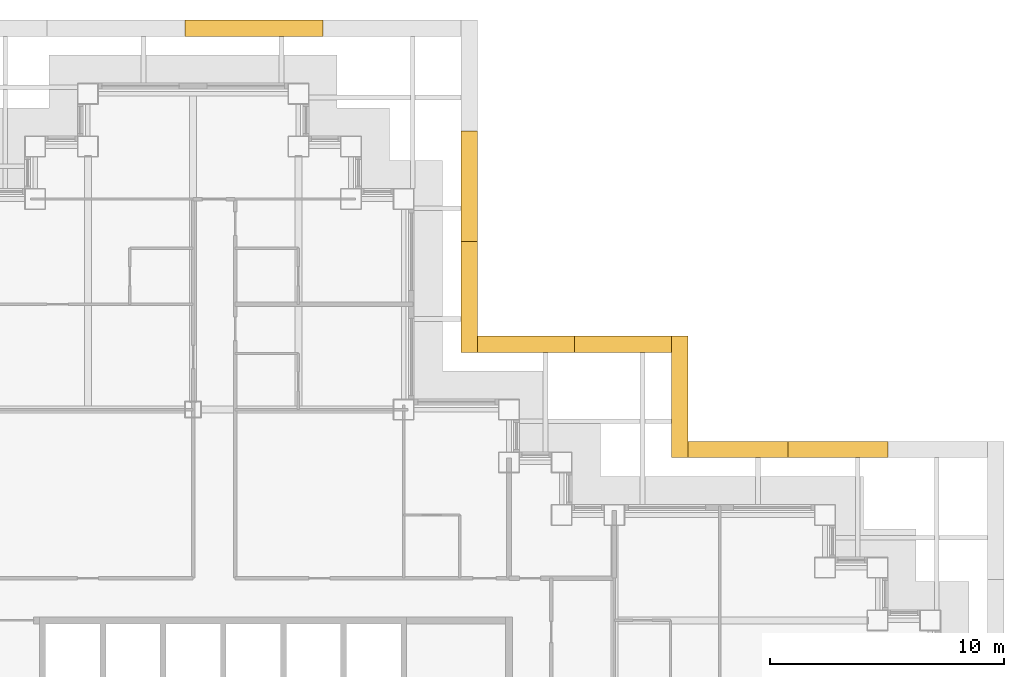
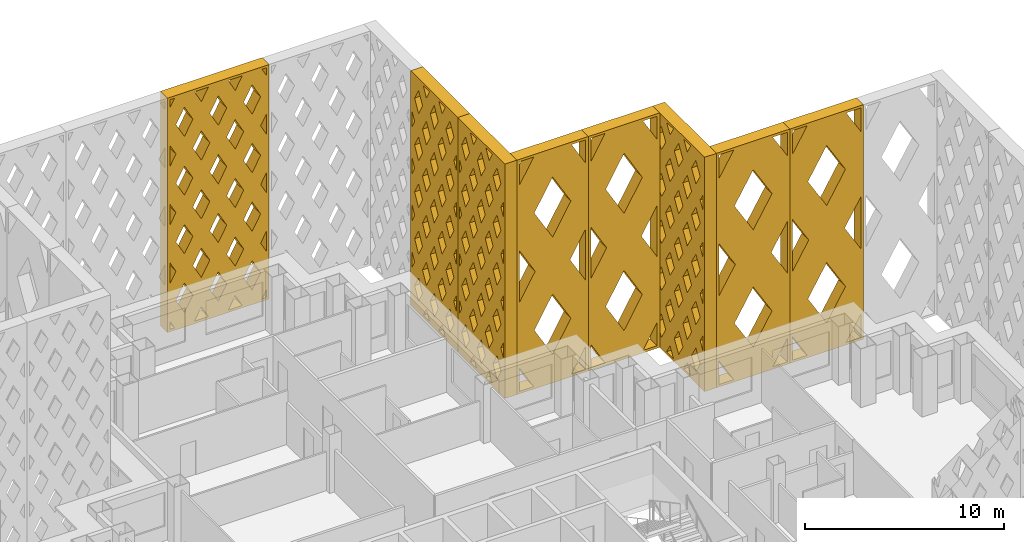
# One storey, part 19 of 21: 8 shading devices.
"""IFC4 building model written with IfcOpenShell, lengths in metres."""

from ifc_helpers import new_model, si_unit, direction, frame, origin, place, context, subcontext, project, spatial, polyline, outline, extrude, material, type_object, element, save


model = new_model("IFC4")

# Units and contexts
model_context = context("Model", 3, precision=1e-05, world=origin(), true_north=direction((0.0, 1.0)))
body_context = subcontext(model_context, "Body", "Model", "MODEL_VIEW")
ifc_project = project(units=[si_unit("LENGTHUNIT", "METRE"), si_unit("AREAUNIT", "SQUARE_METRE"), si_unit("VOLUMEUNIT", "CUBIC_METRE"), si_unit("PLANEANGLEUNIT", "RADIAN"), si_unit("MASSUNIT", "GRAM", prefix="KILO")], contexts=[model_context])

# Site, building, storey
site_placement = place(None, origin())
site = spatial("IfcSite", under=ifc_project, at=site_placement, CompositionType="ELEMENT")
building_placement = place(site_placement, origin())
building = spatial("IfcBuilding", under=site, at=building_placement, Name="Caravel Reach Hotel and Residences", CompositionType="ELEMENT")
storey_placement = place(building_placement, frame((0.0, 0.0, 115.199951171875)))
storey = spatial("IfcBuildingStorey", under=building, at=storey_placement, Name="L28", CompositionType="ELEMENT", Elevation=115.199951171875)

# Shading devices
ifc_material_1 = material(Name="Black powder-coated aluminium", Category="aluminium")
shading_device_type_1 = type_object("IfcShadingDeviceType", Name="Diamond lattice screen panel 4150 x 14400", PredefinedType="USERDEFINED", material=ifc_material_1)
for number, where, z_axis, x_axis, name in (
    (1, (51.949951171875, 42.949951171875, 0.0), (0.0, 1.0, 0.0), (-1.0, 0.0, 0.0), "Lattice screen L28-L31 10.1"),
    (2, (47.800048828125, 42.949951171875, 0.0), (0.0, 1.0, 0.0), (-1.0, 0.0, 0.0), "Lattice screen L28-L31 10.2"),
):
    element("IfcShadingDevice", number, at=place(storey_placement, frame(where, z_axis=z_axis, x_axis=x_axis)), inside=storey, type_object=shading_device_type_1, Name=name, ObjectType="SCREEN", PredefinedType="USERDEFINED", context=body_context, shape_type="SweptSolid", body=[
        extrude(outline(polyline([(0.0, 0.0), (4.14990234375, 0.0), (4.14990234375, 14.39990234375), (0.0, 14.39990234375), (0.0, 0.0)]), holes=[polyline([(0.97802734375, 0.14990234375), (0.14990234375, 1.586669921875), (0.14990234375, 0.14990234375), (0.97802734375, 0.14990234375)]), polyline([(1.064697265625, 7.199951171875), (0.14990234375, 8.786865234375), (0.14990234375, 5.61328125), (1.064697265625, 7.199951171875)]), polyline([(0.14990234375, 12.813232421875), (0.97802734375, 14.25), (0.14990234375, 14.25), (0.14990234375, 12.813232421875)]), polyline([(2.074951171875, 5.447021484375), (1.010498046875, 3.60009765625), (2.074951171875, 1.7529296875), (3.1396484375, 3.60009765625), (2.074951171875, 5.447021484375)]), polyline([(2.074951171875, 12.64697265625), (1.010498046875, 10.800048828125), (2.074951171875, 8.953125), (3.1396484375, 10.800048828125), (2.074951171875, 12.64697265625)]), polyline([(4.0, 1.586669921875), (3.171875, 0.14990234375), (4.0, 0.14990234375), (4.0, 1.586669921875)]), polyline([(3.08544921875, 7.199951171875), (4.0, 5.61328125), (4.0, 8.786865234375), (3.08544921875, 7.199951171875)]), polyline([(3.171875, 14.25), (4.0, 12.813232421875), (4.0, 14.25), (3.171875, 14.25)])]), origin(), (0.0, 0.0, 1.0), 0.699951171875),
    ])
ifc_material_2 = material(Name="Black powder-coated aluminium", Category="aluminium")
shading_device_type_2 = type_object("IfcShadingDeviceType", Name="Diamond lattice screen panel 4267 x 14400", PredefinedType="USERDEFINED", material=ifc_material_2)
for number, where, z_axis, x_axis, name in (
    (3, (61.183349609375, 38.449951171875, 0.0), (0.0, 1.0, 0.0), (-1.0, 0.0, 0.0), "Lattice screen L28-L31 8.2"),
    (4, (56.916748046875, 38.449951171875, 0.0), (0.0, 1.0, 0.0), (-1.0, 0.0, 0.0), "Lattice screen L28-L31 8.3"),
):
    element("IfcShadingDevice", number, at=place(storey_placement, frame(where, z_axis=z_axis, x_axis=x_axis)), inside=storey, type_object=shading_device_type_2, Name=name, ObjectType="SCREEN", PredefinedType="USERDEFINED", context=body_context, shape_type="SweptSolid", body=[
        extrude(outline(polyline([(0.0, 0.0), (4.2666015625, 0.0), (4.2666015625, 14.39990234375), (0.0, 14.39990234375), (0.0, 0.0)]), holes=[polyline([(1.003662109375, 0.14990234375), (0.14990234375, 1.590576171875), (0.14990234375, 0.14990234375), (1.003662109375, 0.14990234375)]), polyline([(1.092529296875, 7.199951171875), (0.14990234375, 8.790771484375), (0.14990234375, 5.609375), (1.092529296875, 7.199951171875)]), polyline([(0.14990234375, 12.809326171875), (1.003662109375, 14.25), (0.14990234375, 14.25), (0.14990234375, 12.809326171875)]), polyline([(2.13330078125, 5.44384765625), (1.040771484375, 3.60009765625), (2.13330078125, 1.756103515625), (3.225830078125, 3.60009765625), (2.13330078125, 5.44384765625)]), polyline([(2.13330078125, 12.643798828125), (1.040771484375, 10.800048828125), (2.13330078125, 8.956298828125), (3.225830078125, 10.800048828125), (2.13330078125, 12.643798828125)]), polyline([(4.11669921875, 1.590576171875), (3.262939453125, 0.14990234375), (4.11669921875, 0.14990234375), (4.11669921875, 1.590576171875)]), polyline([(3.174072265625, 7.199951171875), (4.11669921875, 5.609375), (4.11669921875, 8.790771484375), (3.174072265625, 7.199951171875)]), polyline([(3.262939453125, 14.25), (4.11669921875, 12.809326171875), (4.11669921875, 14.25), (3.262939453125, 14.25)])]), origin(), (0.0, 0.0, 1.0), 0.699951171875),
    ])
ifc_material_3 = material(Name="Black powder-coated aluminium", Category="aluminium")
shading_device_type_3 = type_object("IfcShadingDeviceType", Name="Diamond lattice screen panel 4733 x 14400", PredefinedType="USERDEFINED", material=ifc_material_3)
shading_device_1_placement = place(storey_placement, frame((42.949951171875, 42.949951171875, 0.0), z_axis=(1.0, 0.0, 0.0), x_axis=(0.0, 1.0, 0.0)))
element("IfcShadingDevice", 5, at=shading_device_1_placement, inside=storey, type_object=shading_device_type_3, Name="Lattice screen L28-L31 11.1", ObjectType="SCREEN", PredefinedType="USERDEFINED", context=body_context, shape_type="SweptSolid", body=[
    extrude(outline(polyline([(0.0, 0.0), (4.7333984375, 0.0), (4.7333984375, 14.39990234375), (0.0, 14.39990234375), (0.0, 0.0)]), holes=[polyline([(0.39892578125, 2.8798828125), (0.14990234375, 3.334228515625), (0.14990234375, 2.42578125), (0.39892578125, 2.8798828125)]), polyline([(0.39892578125, 5.760009765625), (0.14990234375, 6.21435546875), (0.14990234375, 5.3056640625), (0.39892578125, 5.760009765625)]), polyline([(0.39892578125, 8.639892578125), (0.14990234375, 9.09423828125), (0.14990234375, 8.185791015625), (0.39892578125, 8.639892578125)]), polyline([(0.39892578125, 11.52001953125), (0.14990234375, 11.974365234375), (0.14990234375, 11.065673828125), (0.39892578125, 11.52001953125)]), polyline([(0.788818359375, 2.16796875), (0.39013671875, 1.43994140625), (0.788818359375, 0.7119140625), (1.187744140625, 1.43994140625), (0.788818359375, 2.16796875)]), polyline([(0.788818359375, 5.048095703125), (0.39013671875, 4.320068359375), (0.788818359375, 3.592041015625), (1.187744140625, 4.320068359375), (0.788818359375, 5.048095703125)]), polyline([(0.788818359375, 7.927978515625), (0.39013671875, 7.199951171875), (0.788818359375, 6.471923828125), (1.187744140625, 7.199951171875), (0.788818359375, 7.927978515625)]), polyline([(0.788818359375, 10.80810546875), (0.39013671875, 10.080078125), (0.788818359375, 9.35205078125), (1.187744140625, 10.080078125), (0.788818359375, 10.80810546875)]), polyline([(0.788818359375, 13.68798828125), (0.39013671875, 12.9599609375), (0.788818359375, 12.23193359375), (1.187744140625, 12.9599609375), (0.788818359375, 13.68798828125)]), polyline([(1.577880859375, 0.72802734375), (1.260986328125, 0.14990234375), (1.89453125, 0.14990234375), (1.577880859375, 0.72802734375)]), polyline([(1.577880859375, 3.608154296875), (1.178955078125, 2.8798828125), (1.577880859375, 2.15185546875), (1.9765625, 2.8798828125), (1.577880859375, 3.608154296875)]), polyline([(1.577880859375, 6.488037109375), (1.178955078125, 5.760009765625), (1.577880859375, 5.031982421875), (1.9765625, 5.760009765625), (1.577880859375, 6.488037109375)]), polyline([(1.577880859375, 9.3681640625), (1.178955078125, 8.639892578125), (1.577880859375, 7.911865234375), (1.9765625, 8.639892578125), (1.577880859375, 9.3681640625)]), polyline([(1.577880859375, 12.248046875), (1.178955078125, 11.52001953125), (1.577880859375, 10.7919921875), (1.9765625, 11.52001953125), (1.577880859375, 12.248046875)]), polyline([(1.577880859375, 13.671875), (1.89453125, 14.25), (1.260986328125, 14.25), (1.577880859375, 13.671875)]), polyline([(2.36669921875, 2.16796875), (1.9677734375, 1.43994140625), (2.36669921875, 0.7119140625), (2.765625, 1.43994140625), (2.36669921875, 2.16796875)]), polyline([(2.36669921875, 5.048095703125), (1.9677734375, 4.320068359375), (2.36669921875, 3.592041015625), (2.765625, 4.320068359375), (2.36669921875, 5.048095703125)]), polyline([(2.36669921875, 7.927978515625), (1.9677734375, 7.199951171875), (2.36669921875, 6.471923828125), (2.765625, 7.199951171875), (2.36669921875, 7.927978515625)]), polyline([(2.36669921875, 10.80810546875), (1.9677734375, 10.080078125), (2.36669921875, 9.35205078125), (2.765625, 10.080078125), (2.36669921875, 10.80810546875)]), polyline([(2.36669921875, 13.68798828125), (1.9677734375, 12.9599609375), (2.36669921875, 12.23193359375), (2.765625, 12.9599609375), (2.36669921875, 13.68798828125)]), polyline([(3.155517578125, 0.72802734375), (2.8388671875, 0.14990234375), (3.47216796875, 0.14990234375), (3.155517578125, 0.72802734375)]), polyline([(3.155517578125, 3.608154296875), (2.756591796875, 2.8798828125), (3.155517578125, 2.15185546875), (3.554443359375, 2.8798828125), (3.155517578125, 3.608154296875)]), polyline([(3.155517578125, 6.488037109375), (2.756591796875, 5.760009765625), (3.155517578125, 5.031982421875), (3.554443359375, 5.760009765625), (3.155517578125, 6.488037109375)]), polyline([(3.155517578125, 9.3681640625), (2.756591796875, 8.639892578125), (3.155517578125, 7.911865234375), (3.554443359375, 8.639892578125), (3.155517578125, 9.3681640625)]), polyline([(3.155517578125, 12.248046875), (2.756591796875, 11.52001953125), (3.155517578125, 10.7919921875), (3.554443359375, 11.52001953125), (3.155517578125, 12.248046875)]), polyline([(3.155517578125, 13.671875), (3.47216796875, 14.25), (2.8388671875, 14.25), (3.155517578125, 13.671875)]), polyline([(3.9443359375, 2.16796875), (3.545654296875, 1.43994140625), (3.9443359375, 0.7119140625), (4.34326171875, 1.43994140625), (3.9443359375, 2.16796875)]), polyline([(3.9443359375, 5.048095703125), (3.545654296875, 4.320068359375), (3.9443359375, 3.592041015625), (4.34326171875, 4.320068359375), (3.9443359375, 5.048095703125)]), polyline([(3.9443359375, 7.927978515625), (3.545654296875, 7.199951171875), (3.9443359375, 6.471923828125), (4.34326171875, 7.199951171875), (3.9443359375, 7.927978515625)]), polyline([(3.9443359375, 10.80810546875), (3.545654296875, 10.080078125), (3.9443359375, 9.35205078125), (4.34326171875, 10.080078125), (3.9443359375, 10.80810546875)]), polyline([(3.9443359375, 13.68798828125), (3.545654296875, 12.9599609375), (3.9443359375, 12.23193359375), (4.34326171875, 12.9599609375), (3.9443359375, 13.68798828125)]), polyline([(4.33447265625, 2.8798828125), (4.583251953125, 2.42578125), (4.583251953125, 3.334228515625), (4.33447265625, 2.8798828125)]), polyline([(4.33447265625, 5.760009765625), (4.583251953125, 5.3056640625), (4.583251953125, 6.21435546875), (4.33447265625, 5.760009765625)]), polyline([(4.33447265625, 8.639892578125), (4.583251953125, 8.185791015625), (4.583251953125, 9.09423828125), (4.33447265625, 8.639892578125)]), polyline([(4.33447265625, 11.52001953125), (4.583251953125, 11.065673828125), (4.583251953125, 11.974365234375), (4.33447265625, 11.52001953125)])]), origin(), (0.0, 0.0, 1.0), 0.699951171875),
])
shading_device_2_placement = place(storey_placement, frame((42.949951171875, 47.683349609375, 0.0), z_axis=(1.0, 0.0, 0.0), x_axis=(0.0, 1.0, 0.0)))
element("IfcShadingDevice", 6, at=shading_device_2_placement, inside=storey, type_object=shading_device_type_3, Name="Lattice screen L28-L31 11.2", ObjectType="SCREEN", PredefinedType="USERDEFINED", context=body_context, shape_type="SweptSolid", body=[
    extrude(outline(polyline([(0.0, 0.0), (4.7333984375, 0.0), (4.7333984375, 14.39990234375), (0.0, 14.39990234375), (0.0, 0.0)]), holes=[polyline([(0.39892578125, 2.8798828125), (0.14990234375, 3.334228515625), (0.14990234375, 2.42578125), (0.39892578125, 2.8798828125)]), polyline([(0.39892578125, 5.760009765625), (0.14990234375, 6.21435546875), (0.14990234375, 5.3056640625), (0.39892578125, 5.760009765625)]), polyline([(0.39892578125, 8.639892578125), (0.14990234375, 9.09423828125), (0.14990234375, 8.185791015625), (0.39892578125, 8.639892578125)]), polyline([(0.39892578125, 11.52001953125), (0.14990234375, 11.974365234375), (0.14990234375, 11.065673828125), (0.39892578125, 11.52001953125)]), polyline([(0.788818359375, 2.16796875), (0.39013671875, 1.43994140625), (0.788818359375, 0.7119140625), (1.187744140625, 1.43994140625), (0.788818359375, 2.16796875)]), polyline([(0.788818359375, 5.048095703125), (0.39013671875, 4.320068359375), (0.788818359375, 3.592041015625), (1.187744140625, 4.320068359375), (0.788818359375, 5.048095703125)]), polyline([(0.788818359375, 7.927978515625), (0.39013671875, 7.199951171875), (0.788818359375, 6.471923828125), (1.187744140625, 7.199951171875), (0.788818359375, 7.927978515625)]), polyline([(0.788818359375, 10.80810546875), (0.39013671875, 10.080078125), (0.788818359375, 9.35205078125), (1.187744140625, 10.080078125), (0.788818359375, 10.80810546875)]), polyline([(0.788818359375, 13.68798828125), (0.39013671875, 12.9599609375), (0.788818359375, 12.23193359375), (1.187744140625, 12.9599609375), (0.788818359375, 13.68798828125)]), polyline([(1.577880859375, 0.72802734375), (1.260986328125, 0.14990234375), (1.89453125, 0.14990234375), (1.577880859375, 0.72802734375)]), polyline([(1.577880859375, 3.608154296875), (1.178955078125, 2.8798828125), (1.577880859375, 2.15185546875), (1.9765625, 2.8798828125), (1.577880859375, 3.608154296875)]), polyline([(1.577880859375, 6.488037109375), (1.178955078125, 5.760009765625), (1.577880859375, 5.031982421875), (1.9765625, 5.760009765625), (1.577880859375, 6.488037109375)]), polyline([(1.577880859375, 9.3681640625), (1.178955078125, 8.639892578125), (1.577880859375, 7.911865234375), (1.9765625, 8.639892578125), (1.577880859375, 9.3681640625)]), polyline([(1.577880859375, 12.248046875), (1.178955078125, 11.52001953125), (1.577880859375, 10.7919921875), (1.9765625, 11.52001953125), (1.577880859375, 12.248046875)]), polyline([(1.577880859375, 13.671875), (1.89453125, 14.25), (1.260986328125, 14.25), (1.577880859375, 13.671875)]), polyline([(2.36669921875, 2.16796875), (1.9677734375, 1.43994140625), (2.36669921875, 0.7119140625), (2.765625, 1.43994140625), (2.36669921875, 2.16796875)]), polyline([(2.36669921875, 5.048095703125), (1.9677734375, 4.320068359375), (2.36669921875, 3.592041015625), (2.765625, 4.320068359375), (2.36669921875, 5.048095703125)]), polyline([(2.36669921875, 7.927978515625), (1.9677734375, 7.199951171875), (2.36669921875, 6.471923828125), (2.765625, 7.199951171875), (2.36669921875, 7.927978515625)]), polyline([(2.36669921875, 10.80810546875), (1.9677734375, 10.080078125), (2.36669921875, 9.35205078125), (2.765625, 10.080078125), (2.36669921875, 10.80810546875)]), polyline([(2.36669921875, 13.68798828125), (1.9677734375, 12.9599609375), (2.36669921875, 12.23193359375), (2.765625, 12.9599609375), (2.36669921875, 13.68798828125)]), polyline([(3.155517578125, 0.72802734375), (2.8388671875, 0.14990234375), (3.47216796875, 0.14990234375), (3.155517578125, 0.72802734375)]), polyline([(3.155517578125, 3.608154296875), (2.756591796875, 2.8798828125), (3.155517578125, 2.15185546875), (3.554443359375, 2.8798828125), (3.155517578125, 3.608154296875)]), polyline([(3.155517578125, 6.488037109375), (2.756591796875, 5.760009765625), (3.155517578125, 5.031982421875), (3.554443359375, 5.760009765625), (3.155517578125, 6.488037109375)]), polyline([(3.155517578125, 9.3681640625), (2.756591796875, 8.639892578125), (3.155517578125, 7.911865234375), (3.554443359375, 8.639892578125), (3.155517578125, 9.3681640625)]), polyline([(3.155517578125, 12.248046875), (2.756591796875, 11.52001953125), (3.155517578125, 10.7919921875), (3.554443359375, 11.52001953125), (3.155517578125, 12.248046875)]), polyline([(3.155517578125, 13.671875), (3.47216796875, 14.25), (2.8388671875, 14.25), (3.155517578125, 13.671875)]), polyline([(3.9443359375, 2.16796875), (3.545654296875, 1.43994140625), (3.9443359375, 0.7119140625), (4.34326171875, 1.43994140625), (3.9443359375, 2.16796875)]), polyline([(3.9443359375, 5.048095703125), (3.545654296875, 4.320068359375), (3.9443359375, 3.592041015625), (4.34326171875, 4.320068359375), (3.9443359375, 5.048095703125)]), polyline([(3.9443359375, 7.927978515625), (3.545654296875, 7.199951171875), (3.9443359375, 6.471923828125), (4.34326171875, 7.199951171875), (3.9443359375, 7.927978515625)]), polyline([(3.9443359375, 10.80810546875), (3.545654296875, 10.080078125), (3.9443359375, 9.35205078125), (4.34326171875, 10.080078125), (3.9443359375, 10.80810546875)]), polyline([(3.9443359375, 13.68798828125), (3.545654296875, 12.9599609375), (3.9443359375, 12.23193359375), (4.34326171875, 12.9599609375), (3.9443359375, 13.68798828125)]), polyline([(4.33447265625, 2.8798828125), (4.583251953125, 2.42578125), (4.583251953125, 3.334228515625), (4.33447265625, 2.8798828125)]), polyline([(4.33447265625, 5.760009765625), (4.583251953125, 5.3056640625), (4.583251953125, 6.21435546875), (4.33447265625, 5.760009765625)]), polyline([(4.33447265625, 8.639892578125), (4.583251953125, 8.185791015625), (4.583251953125, 9.09423828125), (4.33447265625, 8.639892578125)]), polyline([(4.33447265625, 11.52001953125), (4.583251953125, 11.065673828125), (4.583251953125, 11.974365234375), (4.33447265625, 11.52001953125)])]), origin(), (0.0, 0.0, 1.0), 0.699951171875),
])
ifc_material_4 = material(Name="Black powder-coated aluminium", Category="aluminium")
shading_device_type_4 = type_object("IfcShadingDeviceType", Name="Diamond lattice screen panel 5200 x 14400", PredefinedType="USERDEFINED", material=ifc_material_4)
shading_device_3_placement = place(storey_placement, frame((51.949951171875, 38.449951171875, 0.0), z_axis=(1.0, 0.0, 0.0), x_axis=(0.0, 1.0, 0.0)))
element("IfcShadingDevice", 7, at=shading_device_3_placement, inside=storey, type_object=shading_device_type_4, Name="Lattice screen L28-L31 9.1", ObjectType="SCREEN", PredefinedType="USERDEFINED", context=body_context, shape_type="SweptSolid", body=[
    extrude(outline(polyline([(0.0, 0.0), (5.199951171875, 0.0), (5.199951171875, 14.39990234375), (0.0, 14.39990234375), (0.0, 0.0)]), holes=[polyline([(0.436767578125, 2.8798828125), (0.14990234375, 3.3564453125), (0.14990234375, 2.403564453125), (0.436767578125, 2.8798828125)]), polyline([(0.436767578125, 5.760009765625), (0.14990234375, 6.236572265625), (0.14990234375, 5.283447265625), (0.436767578125, 5.760009765625)]), polyline([(0.436767578125, 8.639892578125), (0.14990234375, 9.116455078125), (0.14990234375, 8.16357421875), (0.436767578125, 8.639892578125)]), polyline([(0.436767578125, 11.52001953125), (0.14990234375, 11.99658203125), (0.14990234375, 11.04345703125), (0.436767578125, 11.52001953125)]), polyline([(0.86669921875, 2.165771484375), (0.429931640625, 1.43994140625), (0.86669921875, 0.71435546875), (1.303466796875, 1.43994140625), (0.86669921875, 2.165771484375)]), polyline([(0.86669921875, 5.045654296875), (0.429931640625, 4.320068359375), (0.86669921875, 3.59423828125), (1.303466796875, 4.320068359375), (0.86669921875, 5.045654296875)]), polyline([(0.86669921875, 7.92578125), (0.429931640625, 7.199951171875), (0.86669921875, 6.474365234375), (1.303466796875, 7.199951171875), (0.86669921875, 7.92578125)]), polyline([(0.86669921875, 10.8056640625), (0.429931640625, 10.080078125), (0.86669921875, 9.354248046875), (1.303466796875, 10.080078125), (0.86669921875, 10.8056640625)]), polyline([(0.86669921875, 13.685791015625), (0.429931640625, 12.9599609375), (0.86669921875, 12.234130859375), (1.303466796875, 12.9599609375), (0.86669921875, 13.685791015625)]), polyline([(1.7333984375, 0.725830078125), (1.38671875, 0.14990234375), (2.079833984375, 0.14990234375), (1.7333984375, 0.725830078125)]), polyline([(1.7333984375, 3.605712890625), (1.296630859375, 2.8798828125), (1.7333984375, 2.154296875), (2.170166015625, 2.8798828125), (1.7333984375, 3.605712890625)]), polyline([(1.7333984375, 6.48583984375), (1.296630859375, 5.760009765625), (1.7333984375, 5.0341796875), (2.170166015625, 5.760009765625), (1.7333984375, 6.48583984375)]), polyline([(1.7333984375, 9.36572265625), (1.296630859375, 8.639892578125), (1.7333984375, 7.914306640625), (2.170166015625, 8.639892578125), (1.7333984375, 9.36572265625)]), polyline([(1.7333984375, 12.245849609375), (1.296630859375, 11.52001953125), (1.7333984375, 10.794189453125), (2.170166015625, 11.52001953125), (1.7333984375, 12.245849609375)]), polyline([(1.7333984375, 13.67431640625), (2.079833984375, 14.25), (1.38671875, 14.25), (1.7333984375, 13.67431640625)]), polyline([(2.60009765625, 2.165771484375), (2.1630859375, 1.43994140625), (2.60009765625, 0.71435546875), (3.036865234375, 1.43994140625), (2.60009765625, 2.165771484375)]), polyline([(2.60009765625, 5.045654296875), (2.1630859375, 4.320068359375), (2.60009765625, 3.59423828125), (3.036865234375, 4.320068359375), (2.60009765625, 5.045654296875)]), polyline([(2.60009765625, 7.92578125), (2.1630859375, 7.199951171875), (2.60009765625, 6.474365234375), (3.036865234375, 7.199951171875), (2.60009765625, 7.92578125)]), polyline([(2.60009765625, 10.8056640625), (2.1630859375, 10.080078125), (2.60009765625, 9.354248046875), (3.036865234375, 10.080078125), (2.60009765625, 10.8056640625)]), polyline([(2.60009765625, 13.685791015625), (2.1630859375, 12.9599609375), (2.60009765625, 12.234130859375), (3.036865234375, 12.9599609375), (2.60009765625, 13.685791015625)]), polyline([(3.466552734375, 0.725830078125), (3.1201171875, 0.14990234375), (3.813232421875, 0.14990234375), (3.466552734375, 0.725830078125)]), polyline([(3.466552734375, 3.605712890625), (3.02978515625, 2.8798828125), (3.466552734375, 2.154296875), (3.903564453125, 2.8798828125), (3.466552734375, 3.605712890625)]), polyline([(3.466552734375, 6.48583984375), (3.02978515625, 5.760009765625), (3.466552734375, 5.0341796875), (3.903564453125, 5.760009765625), (3.466552734375, 6.48583984375)]), polyline([(3.466552734375, 9.36572265625), (3.02978515625, 8.639892578125), (3.466552734375, 7.914306640625), (3.903564453125, 8.639892578125), (3.466552734375, 9.36572265625)]), polyline([(3.466552734375, 12.245849609375), (3.02978515625, 11.52001953125), (3.466552734375, 10.794189453125), (3.903564453125, 11.52001953125), (3.466552734375, 12.245849609375)]), polyline([(3.466552734375, 13.67431640625), (3.813232421875, 14.25), (3.1201171875, 14.25), (3.466552734375, 13.67431640625)]), polyline([(4.333251953125, 2.165771484375), (3.896484375, 1.43994140625), (4.333251953125, 0.71435546875), (4.77001953125, 1.43994140625), (4.333251953125, 2.165771484375)]), polyline([(4.333251953125, 5.045654296875), (3.896484375, 4.320068359375), (4.333251953125, 3.59423828125), (4.77001953125, 4.320068359375), (4.333251953125, 5.045654296875)]), polyline([(4.333251953125, 7.92578125), (3.896484375, 7.199951171875), (4.333251953125, 6.474365234375), (4.77001953125, 7.199951171875), (4.333251953125, 7.92578125)]), polyline([(4.333251953125, 10.8056640625), (3.896484375, 10.080078125), (4.333251953125, 9.354248046875), (4.77001953125, 10.080078125), (4.333251953125, 10.8056640625)]), polyline([(4.333251953125, 13.685791015625), (3.896484375, 12.9599609375), (4.333251953125, 12.234130859375), (4.77001953125, 12.9599609375), (4.333251953125, 13.685791015625)]), polyline([(4.76318359375, 2.8798828125), (5.050048828125, 2.403564453125), (5.050048828125, 3.3564453125), (4.76318359375, 2.8798828125)]), polyline([(4.76318359375, 5.760009765625), (5.050048828125, 5.283447265625), (5.050048828125, 6.236572265625), (4.76318359375, 5.760009765625)]), polyline([(4.76318359375, 8.639892578125), (5.050048828125, 8.16357421875), (5.050048828125, 9.116455078125), (4.76318359375, 8.639892578125)]), polyline([(4.76318359375, 11.52001953125), (5.050048828125, 11.04345703125), (5.050048828125, 11.99658203125), (4.76318359375, 11.52001953125)])]), origin(), (0.0, 0.0, 1.0), 0.699951171875),
])
ifc_material_5 = material(Name="Black powder-coated aluminium", Category="aluminium")
shading_device_type_5 = type_object("IfcShadingDeviceType", Name="Diamond lattice screen panel 5900 x 14400", PredefinedType="USERDEFINED", material=ifc_material_5)
shading_device_4_placement = place(storey_placement, frame((37.050048828125, 56.449951171875, 0.0), z_axis=(0.0, 1.0, 0.0), x_axis=(-1.0, 0.0, 0.0)))
element("IfcShadingDevice", 8, at=shading_device_4_placement, inside=storey, type_object=shading_device_type_5, Name="Lattice screen L28-L31 12.2", ObjectType="SCREEN", PredefinedType="USERDEFINED", context=body_context, shape_type="SweptSolid", body=[
    extrude(outline(polyline([(0.0, 0.0), (5.89990234375, 0.0), (5.89990234375, 14.39990234375), (0.0, 14.39990234375), (0.0, 0.0)]), holes=[polyline([(0.40966796875, 0.14990234375), (0.14990234375, 0.62548828125), (0.14990234375, 0.14990234375), (0.40966796875, 0.14990234375)]), polyline([(0.49169921875, 3.60009765625), (0.14990234375, 4.2255859375), (0.14990234375, 2.974609375), (0.49169921875, 3.60009765625)]), polyline([(0.49169921875, 7.199951171875), (0.14990234375, 7.825439453125), (0.14990234375, 6.574462890625), (0.49169921875, 7.199951171875)]), polyline([(0.49169921875, 10.800048828125), (0.14990234375, 11.425537109375), (0.14990234375, 10.174560546875), (0.49169921875, 10.800048828125)]), polyline([(0.14990234375, 13.7744140625), (0.40966796875, 14.25), (0.14990234375, 14.25), (0.14990234375, 13.7744140625)]), polyline([(0.9833984375, 2.699951171875), (0.49169921875, 1.800048828125), (0.9833984375, 0.89990234375), (1.47509765625, 1.800048828125), (0.9833984375, 2.699951171875)]), polyline([(0.9833984375, 6.300048828125), (0.49169921875, 5.39990234375), (0.9833984375, 4.5), (1.47509765625, 5.39990234375), (0.9833984375, 6.300048828125)]), polyline([(0.9833984375, 9.900146484375), (0.49169921875, 9.0), (0.9833984375, 8.099853515625), (1.47509765625, 9.0), (0.9833984375, 9.900146484375)]), polyline([(0.9833984375, 13.5), (0.49169921875, 12.60009765625), (0.9833984375, 11.699951171875), (1.47509765625, 12.60009765625), (0.9833984375, 13.5)]), polyline([(1.966552734375, 0.900146484375), (1.556884765625, 0.14990234375), (2.37646484375, 0.14990234375), (1.966552734375, 0.900146484375)]), polyline([(1.966552734375, 4.5), (1.474853515625, 3.60009765625), (1.966552734375, 2.699951171875), (2.458251953125, 3.60009765625), (1.966552734375, 4.5)]), polyline([(1.966552734375, 8.10009765625), (1.474853515625, 7.199951171875), (1.966552734375, 6.300048828125), (2.458251953125, 7.199951171875), (1.966552734375, 8.10009765625)]), polyline([(1.966552734375, 11.699951171875), (1.474853515625, 10.800048828125), (1.966552734375, 9.89990234375), (2.458251953125, 10.800048828125), (1.966552734375, 11.699951171875)]), polyline([(1.966552734375, 13.5), (2.37646484375, 14.25), (1.556884765625, 14.25), (1.966552734375, 13.5)]), polyline([(2.949951171875, 2.699951171875), (2.458251953125, 1.800048828125), (2.949951171875, 0.89990234375), (3.441650390625, 1.800048828125), (2.949951171875, 2.699951171875)]), polyline([(2.949951171875, 6.300048828125), (2.458251953125, 5.39990234375), (2.949951171875, 4.5), (3.441650390625, 5.39990234375), (2.949951171875, 6.300048828125)]), polyline([(2.949951171875, 9.900146484375), (2.458251953125, 9.0), (2.949951171875, 8.099853515625), (3.441650390625, 9.0), (2.949951171875, 9.900146484375)]), polyline([(2.949951171875, 13.5), (2.458251953125, 12.60009765625), (2.949951171875, 11.699951171875), (3.441650390625, 12.60009765625), (2.949951171875, 13.5)]), polyline([(3.933349609375, 0.900146484375), (3.523681640625, 0.14990234375), (4.343017578125, 0.14990234375), (3.933349609375, 0.900146484375)]), polyline([(3.933349609375, 4.5), (3.441650390625, 3.60009765625), (3.933349609375, 2.699951171875), (4.425048828125, 3.60009765625), (3.933349609375, 4.5)]), polyline([(3.933349609375, 8.10009765625), (3.441650390625, 7.199951171875), (3.933349609375, 6.300048828125), (4.425048828125, 7.199951171875), (3.933349609375, 8.10009765625)]), polyline([(3.933349609375, 11.699951171875), (3.441650390625, 10.800048828125), (3.933349609375, 9.89990234375), (4.425048828125, 10.800048828125), (3.933349609375, 11.699951171875)]), polyline([(3.933349609375, 13.5), (4.343017578125, 14.25), (3.523681640625, 14.25), (3.933349609375, 13.5)]), polyline([(4.916748046875, 2.699951171875), (4.425048828125, 1.800048828125), (4.916748046875, 0.89990234375), (5.408447265625, 1.800048828125), (4.916748046875, 2.699951171875)]), polyline([(4.916748046875, 6.300048828125), (4.425048828125, 5.39990234375), (4.916748046875, 4.5), (5.408447265625, 5.39990234375), (4.916748046875, 6.300048828125)]), polyline([(4.916748046875, 9.900146484375), (4.425048828125, 9.0), (4.916748046875, 8.099853515625), (5.408447265625, 9.0), (4.916748046875, 9.900146484375)]), polyline([(4.916748046875, 13.5), (4.425048828125, 12.60009765625), (4.916748046875, 11.699951171875), (5.408447265625, 12.60009765625), (4.916748046875, 13.5)]), polyline([(5.75, 0.62548828125), (5.490234375, 0.14990234375), (5.75, 0.14990234375), (5.75, 0.62548828125)]), polyline([(5.408203125, 3.60009765625), (5.75, 2.974609375), (5.75, 4.2255859375), (5.408203125, 3.60009765625)]), polyline([(5.408203125, 7.199951171875), (5.75, 6.574462890625), (5.75, 7.825439453125), (5.408203125, 7.199951171875)]), polyline([(5.408203125, 10.800048828125), (5.75, 10.174560546875), (5.75, 11.425537109375), (5.408203125, 10.800048828125)]), polyline([(5.490234375, 14.25), (5.75, 13.7744140625), (5.75, 14.25), (5.490234375, 14.25)])]), origin(), (0.0, 0.0, 1.0), 0.699951171875),
])

save(model, "model.ifc")
